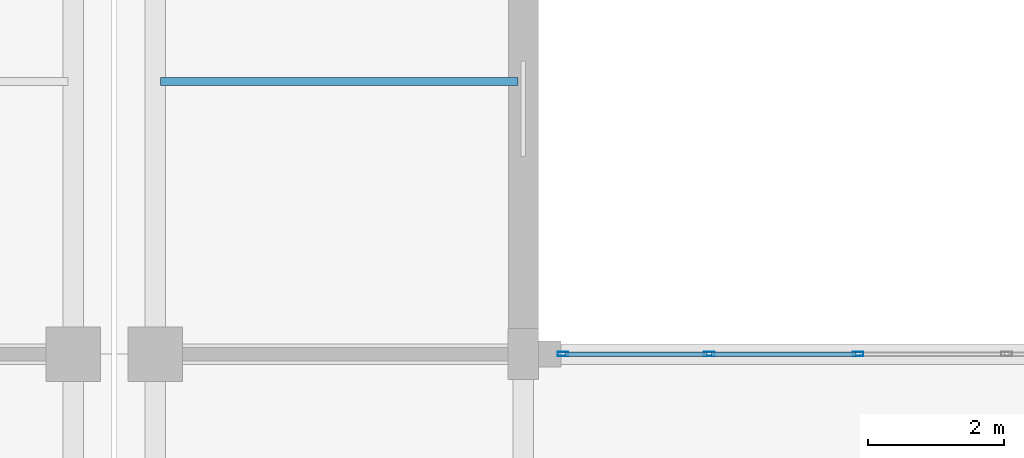
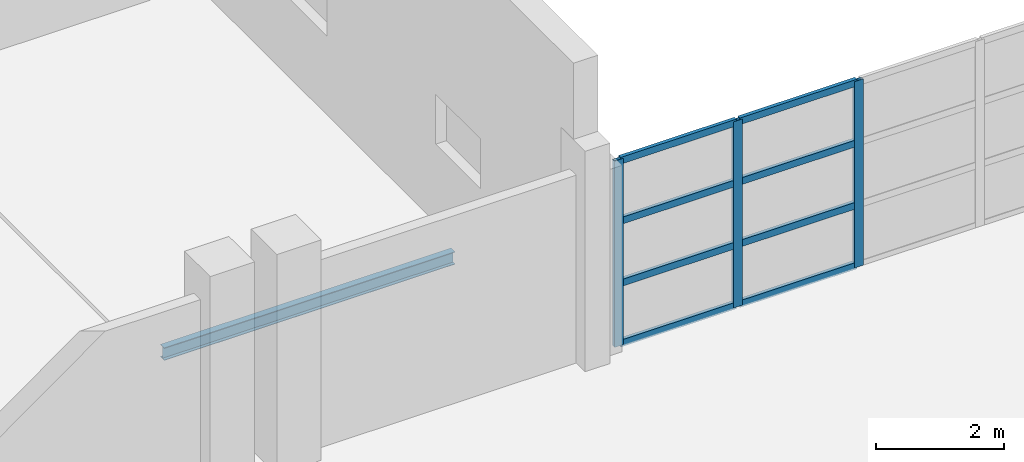
# One storey, part 113 of 147: 11 members, 1 beam, 1 element without a shape of its own.
"""IFC4 building model written with IfcOpenShell, lengths in metres."""

from ifc_helpers import new_model, si_unit, direction, frame, origin, origin_2d, place, context, subcontext, project, spatial, hollow_rectangle, i_section, extrude, material, layer, layer_set, material_profile, profile_set, type_object, element, aggregate, save


model = new_model("IFC4")

# Units and contexts
model_context = context("Model", 3, precision=1e-05, world=origin(), true_north=direction((0.0, 1.0)))
body_context = subcontext(model_context, "Body", "Model", "MODEL_VIEW")
ifc_project = project(units=[si_unit("LENGTHUNIT", "METRE"), si_unit("AREAUNIT", "SQUARE_METRE"), si_unit("VOLUMEUNIT", "CUBIC_METRE"), si_unit("PLANEANGLEUNIT", "RADIAN"), si_unit("MASSUNIT", "GRAM", prefix="KILO")], contexts=[model_context])

# Site, building, storey
site_placement = place(None, origin())
site = spatial("IfcSite", under=ifc_project, at=site_placement, CompositionType="ELEMENT")
building_placement = place(site_placement, origin())
building = spatial("IfcBuilding", under=site, at=building_placement, Name="Zilviju Railside Exhibition Hall", CompositionType="ELEMENT")
storey_placement = place(building_placement, frame((0.0, 0.0, 8.39990234375)))
storey = spatial("IfcBuildingStorey", under=building, at=storey_placement, Name="L03", CompositionType="ELEMENT", Elevation=8.39990234375)

# Beam
ifc_material_1 = material(Name="Steel S355J2", Category="steel")
ifc_material_profile_1 = material_profile(ifc_material_1, i_section(OverallWidth=0.1201171875, OverallDepth=0.239990234375, WebThickness=0.006103515625, FlangeThickness=0.009765625, at=origin_2d()), Name="IPE 240")
ifc_profile_set_1 = profile_set([ifc_material_profile_1], Name="Steel S355J2")
beam_type = type_object("IfcBeamType", Name="BM-IPE240", PredefinedType="JOIST", material=ifc_profile_set_1)
beam_placement = place(storey_placement, frame((174.679931640625, 142.0, -0.5), z_axis=(1.0, 0.0, 0.0), x_axis=(0.0, 1.0, 0.0)))
element("IfcBeam", 1, at=beam_placement, inside=storey, type_object=beam_type, Name="Composite Floor Joist L03 Y=142.00 (174.6..180.0)", PredefinedType="JOIST", context=body_context, shape_type="SweptSolid", body=[
    extrude(i_section(OverallWidth=0.1201171875, OverallDepth=0.239990234375, WebThickness=0.006103515625, FlangeThickness=0.009765625, at=origin_2d()), origin(), (0.0, 0.0, 1.0), 5.239990234375),
])

# Curtain wall, members
ifc_material_2 = material(Name="Thermally broken aluminium-steel triple-glazed curtain wall", Category="steel")
ifc_layer = layer(ifc_material_2, 0.179931640625)
ifc_layer_set = layer_set([ifc_layer], Name="Thermally broken aluminium-steel triple-glazed curtain wall")
curtain_wall_type = type_object("IfcCurtainWallType", Name="CW-BAY-06", PredefinedType="USERDEFINED", material=ifc_layer_set)
curtain_wall_placement = place(storey_placement, origin())
curtain_wall = element("IfcCurtainWall", 2, at=curtain_wall_placement, inside=storey, type_object=curtain_wall_type, Name="North Hall Clerestory Curtain Wall L03 (180..192)", ObjectType="GLAZED CURTAIN WALL", PredefinedType="USERDEFINED")
ifc_material_3 = material(Name="Thermally broken anodized aluminium mullion", Category="aluminium")
ifc_material_profile_2 = material_profile(ifc_material_3, hollow_rectangle(XDim=0.06494140625, YDim=0.159912109375, WallThickness=0.0048828125, at=origin_2d()), Name="MULLION 160x65x5")
ifc_profile_set_2 = profile_set([ifc_material_profile_2], Name="Thermally broken anodized aluminium mullion")
member_type_1 = type_object("IfcMemberType", Name="CWM-65x160", PredefinedType="MULLION", material=ifc_profile_set_2)
member_1_placement = place(storey_placement, frame((180.58251953125, 138.0, 0.0), z_axis=(0.0, 0.0, 1.0), x_axis=(0.0, 1.0, 0.0)))
member_1 = element("IfcMember", 3, at=member_1_placement, type_object=member_type_1, Name="CW-06 mullion 1", PredefinedType="MULLION", context=body_context, shape_type="SweptSolid", body=[
    extrude(hollow_rectangle(XDim=0.06494140625, YDim=0.159912109375, WallThickness=0.0048828125, at=origin_2d()), origin(), (0.0, 0.0, 1.0), 3.550048828125),
])
member_2_placement = place(storey_placement, frame((182.72998046875, 138.0, 0.0), z_axis=(0.0, 0.0, 1.0), x_axis=(0.0, 1.0, 0.0)))
member_2 = element("IfcMember", 4, at=member_2_placement, type_object=member_type_1, Name="CW-06 mullion 2", PredefinedType="MULLION", context=body_context, shape_type="SweptSolid", body=[
    extrude(hollow_rectangle(XDim=0.06494140625, YDim=0.159912109375, WallThickness=0.0048828125, at=origin_2d()), origin(), (0.0, 0.0, 1.0), 3.550048828125),
])
member_3_placement = place(storey_placement, frame((184.909912109375, 138.0, 0.0), z_axis=(0.0, 0.0, 1.0), x_axis=(0.0, 1.0, 0.0)))
member_3 = element("IfcMember", 5, at=member_3_placement, type_object=member_type_1, Name="CW-06 mullion 3", PredefinedType="MULLION", context=body_context, shape_type="SweptSolid", body=[
    extrude(hollow_rectangle(XDim=0.06494140625, YDim=0.159912109375, WallThickness=0.0048828125, at=origin_2d()), origin(), (0.0, 0.0, 1.0), 3.550048828125),
])
ifc_material_4 = material(Name="Thermally broken anodized aluminium transom", Category="aluminium")
ifc_material_profile_3 = material_profile(ifc_material_4, hollow_rectangle(XDim=0.06494140625, YDim=0.1298828125, WallThickness=0.0048828125, at=origin_2d()), Name="TRANSOM 130x65x5")
ifc_profile_set_3 = profile_set([ifc_material_profile_3], Name="Thermally broken anodized aluminium transom")
member_type_2 = type_object("IfcMemberType", Name="CWT-65x130", PredefinedType="USERDEFINED", material=ifc_profile_set_3)
member_4_placement = place(storey_placement, frame((180.614990234375, 138.0, 0.03271484375), z_axis=(1.0, 0.0, 0.0), x_axis=(0.0, 1.0, 0.0)))
member_4 = element("IfcMember", 6, at=member_4_placement, type_object=member_type_2, Name="CW-06 transom 1.1", ObjectType="TRANSOM", PredefinedType="USERDEFINED", context=body_context, shape_type="SweptSolid", body=[
    extrude(hollow_rectangle(XDim=0.06494140625, YDim=0.1298828125, WallThickness=0.0048828125, at=origin_2d()), origin(), (0.0, 0.0, 1.0), 2.08251953125),
])
member_5_placement = place(storey_placement, frame((180.614990234375, 138.0, 1.18310546875), z_axis=(1.0, 0.0, 0.0), x_axis=(0.0, 1.0, 0.0)))
member_5 = element("IfcMember", 7, at=member_5_placement, type_object=member_type_2, Name="CW-06 transom 1.2", ObjectType="TRANSOM", PredefinedType="USERDEFINED", context=body_context, shape_type="SweptSolid", body=[
    extrude(hollow_rectangle(XDim=0.06494140625, YDim=0.1298828125, WallThickness=0.0048828125, at=origin_2d()), origin(), (0.0, 0.0, 1.0), 2.08251953125),
])
member_6_placement = place(storey_placement, frame((180.614990234375, 138.0, 2.3671875), z_axis=(1.0, 0.0, 0.0), x_axis=(0.0, 1.0, 0.0)))
member_6 = element("IfcMember", 8, at=member_6_placement, type_object=member_type_2, Name="CW-06 transom 1.3", ObjectType="TRANSOM", PredefinedType="USERDEFINED", context=body_context, shape_type="SweptSolid", body=[
    extrude(hollow_rectangle(XDim=0.06494140625, YDim=0.1298828125, WallThickness=0.0048828125, at=origin_2d()), origin(), (0.0, 0.0, 1.0), 2.08251953125),
])
member_7_placement = place(storey_placement, frame((180.614990234375, 138.0, 3.517578125), z_axis=(1.0, 0.0, 0.0), x_axis=(0.0, 1.0, 0.0)))
member_7 = element("IfcMember", 9, at=member_7_placement, type_object=member_type_2, Name="CW-06 transom 1.4", ObjectType="TRANSOM", PredefinedType="USERDEFINED", context=body_context, shape_type="SweptSolid", body=[
    extrude(hollow_rectangle(XDim=0.06494140625, YDim=0.1298828125, WallThickness=0.0048828125, at=origin_2d()), origin(), (0.0, 0.0, 1.0), 2.08251953125),
])
member_8_placement = place(storey_placement, frame((182.762451171875, 138.0, 0.03271484375), z_axis=(1.0, 0.0, 0.0), x_axis=(0.0, 1.0, 0.0)))
member_8 = element("IfcMember", 10, at=member_8_placement, type_object=member_type_2, Name="CW-06 transom 2.1", ObjectType="TRANSOM", PredefinedType="USERDEFINED", context=body_context, shape_type="SweptSolid", body=[
    extrude(hollow_rectangle(XDim=0.06494140625, YDim=0.1298828125, WallThickness=0.0048828125, at=origin_2d()), origin(), (0.0, 0.0, 1.0), 2.114990234375),
])
member_9_placement = place(storey_placement, frame((182.762451171875, 138.0, 1.18310546875), z_axis=(1.0, 0.0, 0.0), x_axis=(0.0, 1.0, 0.0)))
member_9 = element("IfcMember", 11, at=member_9_placement, type_object=member_type_2, Name="CW-06 transom 2.2", ObjectType="TRANSOM", PredefinedType="USERDEFINED", context=body_context, shape_type="SweptSolid", body=[
    extrude(hollow_rectangle(XDim=0.06494140625, YDim=0.1298828125, WallThickness=0.0048828125, at=origin_2d()), origin(), (0.0, 0.0, 1.0), 2.114990234375),
])
member_10_placement = place(storey_placement, frame((182.762451171875, 138.0, 2.3671875), z_axis=(1.0, 0.0, 0.0), x_axis=(0.0, 1.0, 0.0)))
member_10 = element("IfcMember", 12, at=member_10_placement, type_object=member_type_2, Name="CW-06 transom 2.3", ObjectType="TRANSOM", PredefinedType="USERDEFINED", context=body_context, shape_type="SweptSolid", body=[
    extrude(hollow_rectangle(XDim=0.06494140625, YDim=0.1298828125, WallThickness=0.0048828125, at=origin_2d()), origin(), (0.0, 0.0, 1.0), 2.114990234375),
])
member_11_placement = place(storey_placement, frame((182.762451171875, 138.0, 3.517578125), z_axis=(1.0, 0.0, 0.0), x_axis=(0.0, 1.0, 0.0)))
member_11 = element("IfcMember", 13, at=member_11_placement, type_object=member_type_2, Name="CW-06 transom 2.4", ObjectType="TRANSOM", PredefinedType="USERDEFINED", context=body_context, shape_type="SweptSolid", body=[
    extrude(hollow_rectangle(XDim=0.06494140625, YDim=0.1298828125, WallThickness=0.0048828125, at=origin_2d()), origin(), (0.0, 0.0, 1.0), 2.114990234375),
])
aggregate(curtain_wall, [member_1, member_2, member_3, member_4, member_5, member_6, member_7, member_8, member_9, member_10, member_11])

save(model, "model.ifc")
